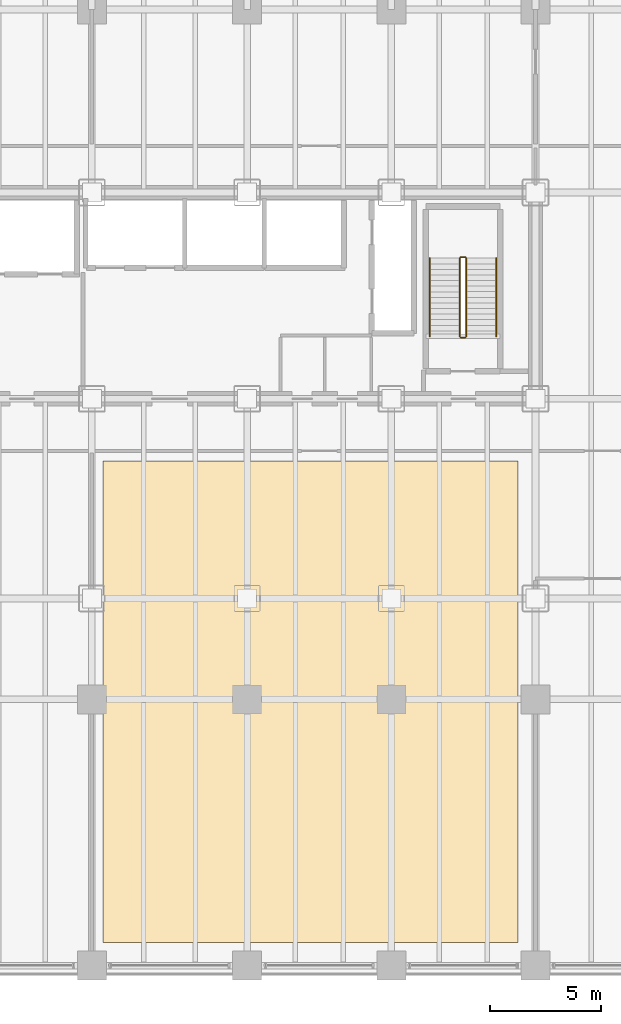
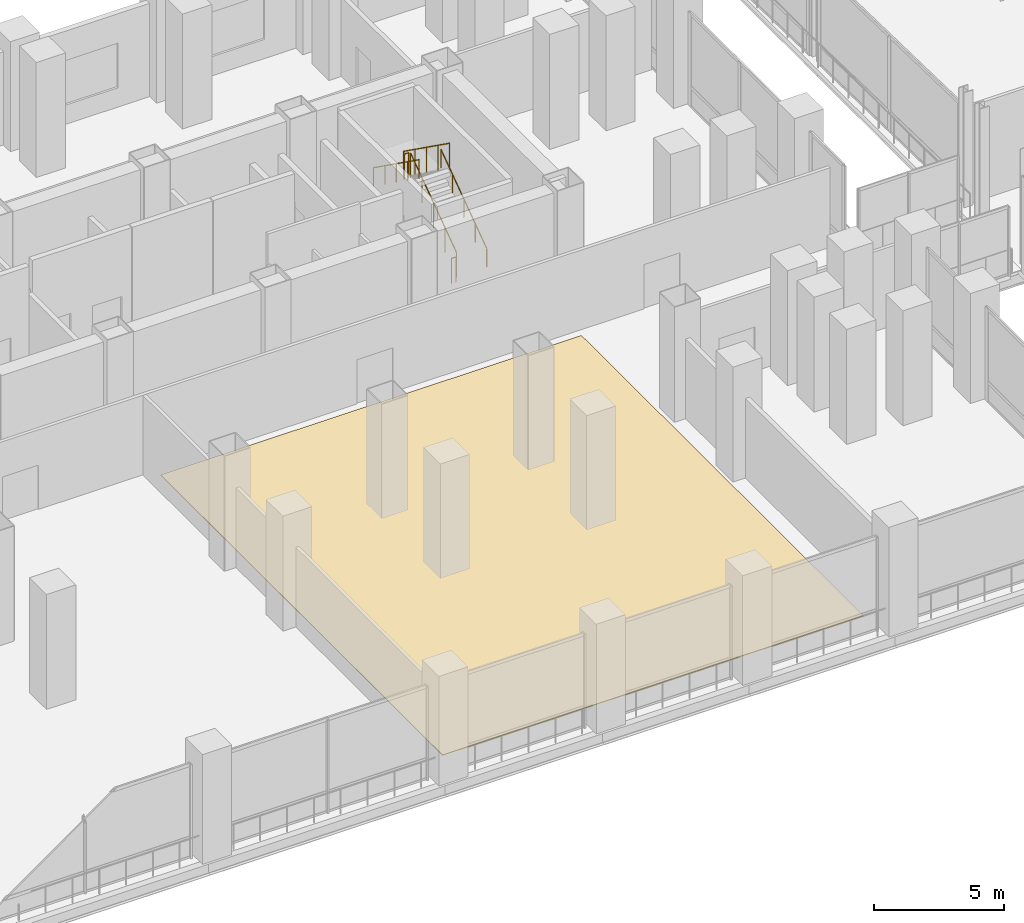
# One storey, part 27 of 30: 6 railings, 1 covering.
"""IFC4 building model written with IfcOpenShell, lengths in metres."""

from ifc_helpers import new_model, si_unit, direction, frame, origin, origin_2d, place, context, subcontext, project, spatial, polyline, circle, outline, extrude, material, layer, layer_set, type_object, element, save


model = new_model("IFC4")

# Units and contexts
model_context = context("Model", 3, precision=1e-05, world=origin(), true_north=direction((0.0, 1.0)))
body_context = subcontext(model_context, "Body", "Model", "MODEL_VIEW")
ifc_project = project(units=[si_unit("LENGTHUNIT", "METRE"), si_unit("AREAUNIT", "SQUARE_METRE"), si_unit("VOLUMEUNIT", "CUBIC_METRE"), si_unit("PLANEANGLEUNIT", "RADIAN"), si_unit("MASSUNIT", "GRAM", prefix="KILO")], contexts=[model_context])

# Site, building, storey
site_placement = place(None, origin())
site = spatial("IfcSite", under=ifc_project, at=site_placement, CompositionType="ELEMENT")
building_placement = place(site_placement, origin())
building = spatial("IfcBuilding", under=site, at=building_placement, Name="Noeulbin Bourse Tower", CompositionType="ELEMENT")
storey_placement = place(building_placement, frame((0.0, 0.0, 16.60009765625)))
storey = spatial("IfcBuildingStorey", under=building, at=storey_placement, Name="L04", CompositionType="ELEMENT", Elevation=16.60009765625)

# Covering
ifc_material_1 = material(Name="Honed Geumjeong Granite Paving", Category="masonry")
ifc_layer_1 = layer(ifc_material_1, 0.030029296875)
ifc_layer_set_1 = layer_set([ifc_layer_1], Name="Honed Geumjeong Granite Paving")
covering_type = type_object("IfcCoveringType", Name="COV-FLR-STN", PredefinedType="FLOORING", material=ifc_layer_set_1)
covering_placement = place(storey_placement, origin())
element("IfcCovering", 1, at=covering_placement, inside=storey, type_object=covering_type, Name="Granite Concourse Flooring L04", PredefinedType="FLOORING", context=body_context, shape_type="SweptSolid", body=[
    extrude(outline(polyline([(24.5, 4.5), (43.199951171875, 4.5), (43.199951171875, 26.199951171875), (24.5, 26.199951171875), (24.5, 4.5)])), origin(), (0.0, 0.0, 1.0), 0.02978515625),
])

# Railings
ifc_material_2 = material(Name="Painted Tubular Steel S355", Category="steel")
ifc_layer_2 = layer(ifc_material_2, 0.048095703125)
ifc_layer_set_2 = layer_set([ifc_layer_2], Name="Painted Tubular Steel S355")
railing_type_1 = type_object("IfcRailingType", Name="RLG-STR-GRD", PredefinedType="GUARDRAIL", material=ifc_layer_set_2)
railing_1_placement = place(storey_placement, frame((40.8798828125, 31.81005859375, 0.179931640625)))
element("IfcRailing", 2, at=railing_1_placement, inside=storey, type_object=railing_type_1, Name="L04 ST-2 stair guard 1", PredefinedType="GUARDRAIL", context=body_context, shape_type="SweptSolid", body=[
    extrude(circle(Radius=0.02392578125, at=origin_2d()), frame((0.0, 0.0, 1.17578125), z_axis=(0.0, 0.813718251284, 0.581259501021), x_axis=(-1.0, 0.0, 0.0)), (0.0, 0.0, 1.0), 4.33544921875),
    extrude(circle(Radius=0.02099609375, at=origin_2d()), origin(), (0.0, 0.0, 1.0), 1.15185546875),
    extrude(circle(Radius=0.02099609375, at=origin_2d()), frame((0.0, 0.8818359375, 0.6298828125)), (0.0, 0.0, 1.0), 1.15185546875),
    extrude(circle(Radius=0.02099609375, at=origin_2d()), frame((0.0, 1.763916015625, 1.260009765625)), (0.0, 0.0, 1.0), 1.15185546875),
    extrude(circle(Radius=0.02099609375, at=origin_2d()), frame((0.0, 2.64599609375, 1.89013671875)), (0.0, 0.0, 1.0), 1.15185546875),
    extrude(circle(Radius=0.02099609375, at=origin_2d()), frame((0.0, 3.52783203125, 2.52001953125)), (0.0, 0.0, 1.0), 1.15185546875),
])
railing_2_placement = place(storey_placement, frame((40.830078125, 35.387939453125, 2.699951171875)))
element("IfcRailing", 3, at=railing_2_placement, inside=storey, type_object=railing_type_1, Name="L04 ST-2 stair guard 2", PredefinedType="GUARDRAIL", context=body_context, shape_type="SweptSolid", body=[
    extrude(circle(Radius=0.02392578125, at=origin_2d()), frame((0.0, 0.0, 1.17578125), z_axis=(-1.0, 0.0, 0.0), x_axis=(0.0, -1.0, 0.0)), (0.0, 0.0, 1.0), 0.2001953125),
    extrude(circle(Radius=0.02099609375, at=origin_2d()), origin(), (0.0, 0.0, 1.0), 1.15185546875),
    extrude(circle(Radius=0.02099609375, at=origin_2d()), frame((-0.2001953125, 0.0, 0.0)), (0.0, 0.0, 1.0), 1.15185546875),
])
railing_3_placement = place(storey_placement, frame((40.580078125, 35.337890625, 2.8798828125)))
element("IfcRailing", 4, at=railing_3_placement, inside=storey, type_object=railing_type_1, Name="L04 ST-2 stair guard 3", PredefinedType="GUARDRAIL", context=body_context, shape_type="SweptSolid", body=[
    extrude(circle(Radius=0.02392578125, at=origin_2d()), frame((0.0, 0.0, 1.17578125), z_axis=(0.0, -0.813718251284, 0.581259501021), x_axis=(1.0, 0.0, 0.0)), (0.0, 0.0, 1.0), 4.33544921875),
    extrude(circle(Radius=0.02099609375, at=origin_2d()), origin(), (0.0, 0.0, 1.0), 1.15185546875),
    extrude(circle(Radius=0.02099609375, at=origin_2d()), frame((0.0, -0.8818359375, 0.6298828125)), (0.0, 0.0, 1.0), 1.15185546875),
    extrude(circle(Radius=0.02099609375, at=origin_2d()), frame((0.0, -1.763916015625, 1.260009765625)), (0.0, 0.0, 1.0), 1.15185546875),
    extrude(circle(Radius=0.02099609375, at=origin_2d()), frame((0.0, -2.64599609375, 1.89013671875)), (0.0, 0.0, 1.0), 1.15185546875),
    extrude(circle(Radius=0.02099609375, at=origin_2d()), frame((0.0, -3.52783203125, 2.52001953125)), (0.0, 0.0, 1.0), 1.15185546875),
])
railing_4_placement = place(storey_placement, frame((40.830078125, 31.760009765625, 0.0)))
element("IfcRailing", 5, at=railing_4_placement, inside=storey, type_object=railing_type_1, Name="L04 ST-2 stair guard 4", PredefinedType="GUARDRAIL", context=body_context, shape_type="SweptSolid", body=[
    extrude(circle(Radius=0.02392578125, at=origin_2d()), frame((0.0, 0.0, 1.17578125), z_axis=(-1.0, 0.0, 0.0), x_axis=(0.0, -1.0, 0.0)), (0.0, 0.0, 1.0), 0.2001953125),
    extrude(circle(Radius=0.02099609375, at=origin_2d()), origin(), (0.0, 0.0, 1.0), 1.15185546875),
    extrude(circle(Radius=0.02099609375, at=origin_2d()), frame((-0.2001953125, 0.0, 0.0)), (0.0, 0.0, 1.0), 1.15185546875),
])
ifc_material_3 = material(Name="Brushed Stainless Steel 316", Category="steel")
ifc_layer_3 = layer(ifc_material_3, 0.048095703125)
ifc_layer_set_3 = layer_set([ifc_layer_3], Name="Brushed Stainless Steel 316")
railing_type_2 = type_object("IfcRailingType", Name="RLG-STR-HND", PredefinedType="HANDRAIL", material=ifc_layer_set_3)
railing_5_placement = place(storey_placement, frame((42.22998046875, 31.81005859375, 0.179931640625)))
element("IfcRailing", 6, at=railing_5_placement, inside=storey, type_object=railing_type_2, Name="L04 ST-2 stair handrail 1", PredefinedType="HANDRAIL", context=body_context, shape_type="SweptSolid", body=[
    extrude(circle(Radius=0.02392578125, at=origin_2d()), frame((0.0, 0.0, 0.8759765625), z_axis=(0.0, 0.813718251284, 0.581259501021), x_axis=(-1.0, 0.0, 0.0)), (0.0, 0.0, 1.0), 4.33544921875),
    extrude(circle(Radius=0.02099609375, at=origin_2d()), origin(), (0.0, 0.0, 1.0), 0.851806640625),
    extrude(circle(Radius=0.02099609375, at=origin_2d()), frame((0.0, 0.8818359375, 0.6298828125)), (0.0, 0.0, 1.0), 0.851806640625),
    extrude(circle(Radius=0.02099609375, at=origin_2d()), frame((0.0, 1.763916015625, 1.260009765625)), (0.0, 0.0, 1.0), 0.851806640625),
    extrude(circle(Radius=0.02099609375, at=origin_2d()), frame((0.0, 2.64599609375, 1.89013671875)), (0.0, 0.0, 1.0), 0.851806640625),
    extrude(circle(Radius=0.02099609375, at=origin_2d()), frame((0.0, 3.52783203125, 2.52001953125)), (0.0, 0.0, 1.0), 0.851806640625),
])
railing_6_placement = place(storey_placement, frame((39.22998046875, 35.337890625, 2.8798828125)))
element("IfcRailing", 7, at=railing_6_placement, inside=storey, type_object=railing_type_2, Name="L04 ST-2 stair handrail 2", PredefinedType="HANDRAIL", context=body_context, shape_type="SweptSolid", body=[
    extrude(circle(Radius=0.02392578125, at=origin_2d()), frame((0.0, 0.0, 0.8759765625), z_axis=(0.0, -0.813718251284, 0.581259501021), x_axis=(1.0, 0.0, 0.0)), (0.0, 0.0, 1.0), 4.33544921875),
    extrude(circle(Radius=0.02099609375, at=origin_2d()), origin(), (0.0, 0.0, 1.0), 0.851806640625),
    extrude(circle(Radius=0.02099609375, at=origin_2d()), frame((0.0, -0.8818359375, 0.6298828125)), (0.0, 0.0, 1.0), 0.851806640625),
    extrude(circle(Radius=0.02099609375, at=origin_2d()), frame((0.0, -1.763916015625, 1.260009765625)), (0.0, 0.0, 1.0), 0.851806640625),
    extrude(circle(Radius=0.02099609375, at=origin_2d()), frame((0.0, -2.64599609375, 1.89013671875)), (0.0, 0.0, 1.0), 0.851806640625),
    extrude(circle(Radius=0.02099609375, at=origin_2d()), frame((0.0, -3.52783203125, 2.52001953125)), (0.0, 0.0, 1.0), 0.851806640625),
])

save(model, "model.ifc")
